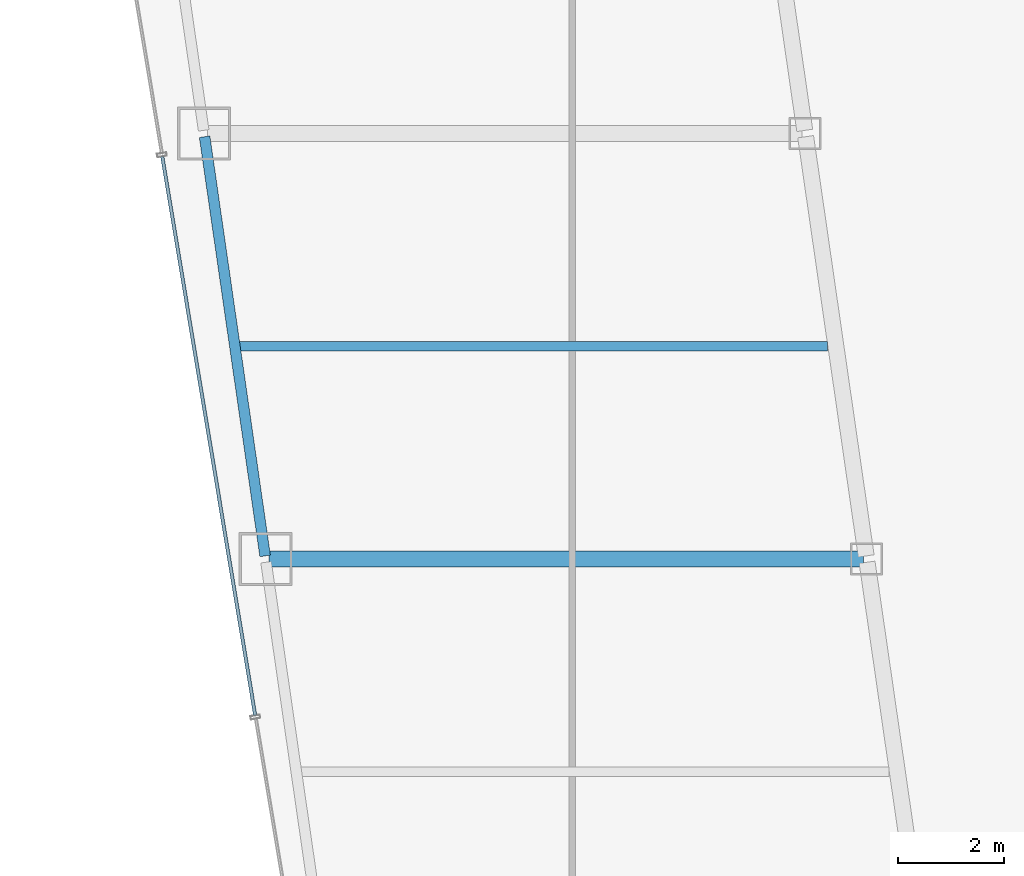
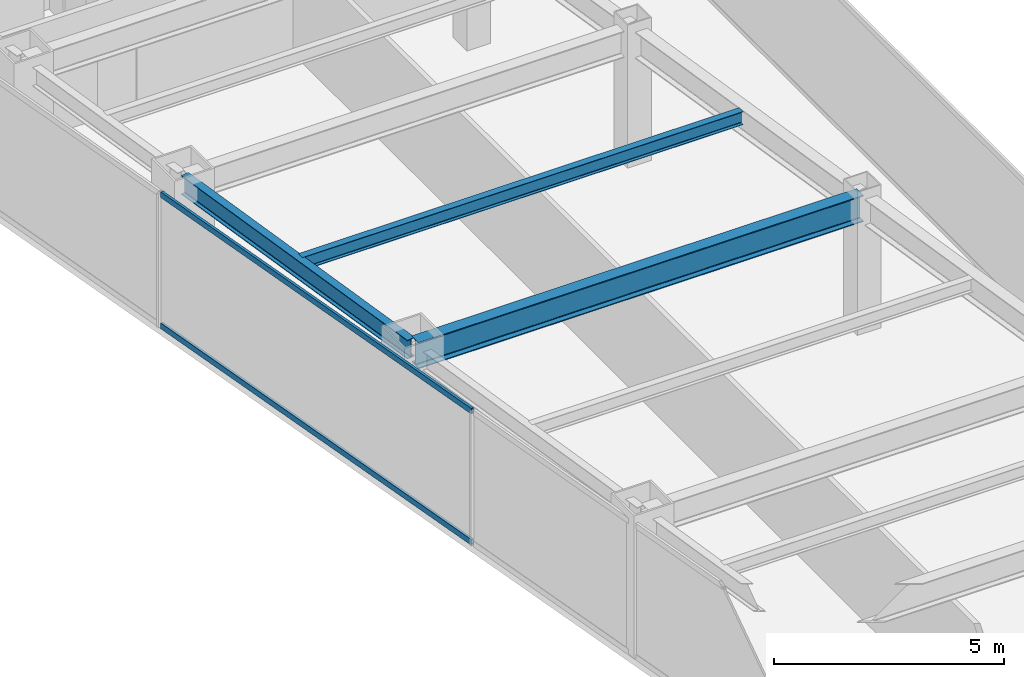
# One storey, part 8 of 36: 3 beams, 2 members, 1 element without a shape of its own.
"""IFC4 building model written with IfcOpenShell, lengths in metres."""

from ifc_helpers import new_model, si_unit, direction, frame, origin, origin_2d, place, context, subcontext, project, spatial, hollow_rectangle, i_section, extrude, material, material_profile, profile_set, type_object, element, aggregate, save


model = new_model("IFC4")

# Units and contexts
model_context = context("Model", 3, precision=1e-05, world=origin(), true_north=direction((0.0, 1.0)))
body_context = subcontext(model_context, "Body", "Model", "MODEL_VIEW")
ifc_project = project(units=[si_unit("LENGTHUNIT", "METRE"), si_unit("AREAUNIT", "SQUARE_METRE"), si_unit("VOLUMEUNIT", "CUBIC_METRE"), si_unit("PLANEANGLEUNIT", "RADIAN"), si_unit("MASSUNIT", "GRAM", prefix="KILO")], contexts=[model_context])

# Site, building, storey
site_placement = place(None, origin())
site = spatial("IfcSite", under=ifc_project, at=site_placement, CompositionType="ELEMENT")
building_placement = place(site_placement, origin())
building = spatial("IfcBuilding", under=site, at=building_placement, Name="Saevonmaru Cultural Tower", CompositionType="ELEMENT")
storey_placement = place(building_placement, frame((0.0, 0.0, 148.60009765625)))
storey = spatial("IfcBuildingStorey", under=building, at=storey_placement, Name="L32", CompositionType="ELEMENT", Elevation=148.60009765625)

# Beams
ifc_material_1 = material(Name="Steel SM355", Category="steel")
ifc_material_profile_1 = material_profile(ifc_material_1, i_section(OverallWidth=0.300048828125, OverallDepth=0.699951171875, WebThickness=0.012939453125, FlangeThickness=0.02392578125, FilletRadius=0.02587890625, at=origin_2d()), Name="H-700x300x13x24")
ifc_profile_set_1 = profile_set([ifc_material_profile_1], Name="Steel SM355")
beam_type_1 = type_object("IfcBeamType", Name="BM-G-H700", PredefinedType="BEAM", material=ifc_profile_set_1)
beam_1_placement = place(storey_placement, frame((9.531982421875, 24.0, 3.199951171875), z_axis=(1.0, 0.0, 0.0), x_axis=(0.0, 1.0, 0.0)))
element("IfcBeam", 1, at=beam_1_placement, inside=storey, type_object=beam_type_1, Name="L32 West Wing Transverse Girder 3", PredefinedType="BEAM", context=body_context, shape_type="SweptSolid", body=[
    extrude(i_section(OverallWidth=0.300048828125, OverallDepth=0.699951171875, WebThickness=0.012939453125, FlangeThickness=0.02392578125, FilletRadius=0.02587890625, at=origin_2d()), origin(), (0.0, 0.0, 1.0), 11.179931640625),
])
ifc_material_profile_2 = material_profile(ifc_material_1, i_section(OverallWidth=0.175048828125, OverallDepth=0.35009765625, WebThickness=0.007080078125, FlangeThickness=0.010986328125, FilletRadius=0.012939453125, at=origin_2d()), Name="H-350x175x7x11")
ifc_profile_set_2 = profile_set([ifc_material_profile_2], Name="Steel SM355")
beam_type_2 = type_object("IfcBeamType", Name="BM-J-H350", PredefinedType="JOIST", material=ifc_profile_set_2)
beam_2_placement = place(storey_placement, frame((8.95458984375, 28.0, 3.375), z_axis=(1.0, 0.0, 0.0), x_axis=(0.0, 1.0, 0.0)))
element("IfcBeam", 2, at=beam_2_placement, inside=storey, type_object=beam_type_2, Name="L32 West Wing Floor Joist 3", PredefinedType="JOIST", context=body_context, shape_type="SweptSolid", body=[
    extrude(i_section(OverallWidth=0.175048828125, OverallDepth=0.35009765625, WebThickness=0.007080078125, FlangeThickness=0.010986328125, FilletRadius=0.012939453125, at=origin_2d()), origin(), (0.0, 0.0, 1.0), 11.08203125),
])
ifc_material_profile_3 = material_profile(ifc_material_1, i_section(OverallWidth=0.199951171875, OverallDepth=0.5, WebThickness=0.010009765625, FlangeThickness=0.01611328125, FilletRadius=0.02001953125, at=origin_2d()), Name="H-500x200x10x16")
ifc_profile_set_3 = profile_set([ifc_material_profile_3], Name="Steel SM355")
beam_type_3 = type_object("IfcBeamType", Name="BM-SP-H500", PredefinedType="SPANDREL", material=ifc_profile_set_3)
beam_3_placement = place(storey_placement, frame((9.46337890625, 24.059326171875, 3.2998046875), z_axis=(-0.142871999001, 0.989741174197, 0.0), x_axis=(-0.989741174197, -0.142871999001, 0.0)))
element("IfcBeam", 3, at=beam_3_placement, inside=storey, type_object=beam_type_3, Name="L32 West Splayed Spandrel 3", PredefinedType="SPANDREL", context=body_context, shape_type="SweptSolid", body=[
    extrude(i_section(OverallWidth=0.199951171875, OverallDepth=0.5, WebThickness=0.010009765625, FlangeThickness=0.01611328125, FilletRadius=0.02001953125, at=origin_2d()), origin(), (0.0, 0.0, 1.0), 7.963134765625),
])

# Curtain wall, members
ifc_material_2 = material(Name="Satin Bronze Anodised Aluminium", Category="aluminium")
curtain_wall_type = type_object("IfcCurtainWallType", Name="CW-TYP-A", PredefinedType="NOTDEFINED", material=ifc_material_2)
curtain_wall_placement = place(storey_placement, origin())
curtain_wall = element("IfcCurtainWall", 4, at=curtain_wall_placement, inside=storey, type_object=curtain_wall_type, Name="L32 Unitised Curtain Wall E12", PredefinedType="NOTDEFINED")
ifc_material_profile_4 = material_profile(ifc_material_2, hollow_rectangle(XDim=0.06494140625, YDim=0.14990234375, WallThickness=0.00390625, at=origin_2d()), Name="ALU-TRAN-150x65x4")
ifc_profile_set_4 = profile_set([ifc_material_profile_4], Name="Satin Bronze Anodised Aluminium")
member_type = type_object("IfcMemberType", Name="TR-CW-150x65", PredefinedType="USERDEFINED", material=ifc_profile_set_4)
member_1_placement = place(storey_placement, frame((7.52978515625, 31.56787109375, 0.032470703125), z_axis=(0.163993787386, -0.98646137162, 0.0), x_axis=(0.98646137162, 0.163993787386, 0.0)))
member_1 = element("IfcMember", 5, at=member_1_placement, type_object=member_type, Name="CW-TW-L32-E12 transom 3.1", ObjectType="TRANSOM", PredefinedType="USERDEFINED", context=body_context, shape_type="SweptSolid", body=[
    extrude(hollow_rectangle(XDim=0.06494140625, YDim=0.14990234375, WallThickness=0.00390625, at=origin_2d()), origin(), (0.0, 0.0, 1.0), 10.650390625),
])
member_2_placement = place(storey_placement, frame((7.52978515625, 31.56787109375, 3.517333984375), z_axis=(0.163993787386, -0.98646137162, 0.0), x_axis=(0.98646137162, 0.163993787386, 0.0)))
member_2 = element("IfcMember", 6, at=member_2_placement, type_object=member_type, Name="CW-TW-L32-E12 transom 3.2", ObjectType="TRANSOM", PredefinedType="USERDEFINED", context=body_context, shape_type="SweptSolid", body=[
    extrude(hollow_rectangle(XDim=0.06494140625, YDim=0.14990234375, WallThickness=0.00390625, at=origin_2d()), origin(), (0.0, 0.0, 1.0), 10.650390625),
])
aggregate(curtain_wall, [member_1, member_2])

save(model, "model.ifc")
